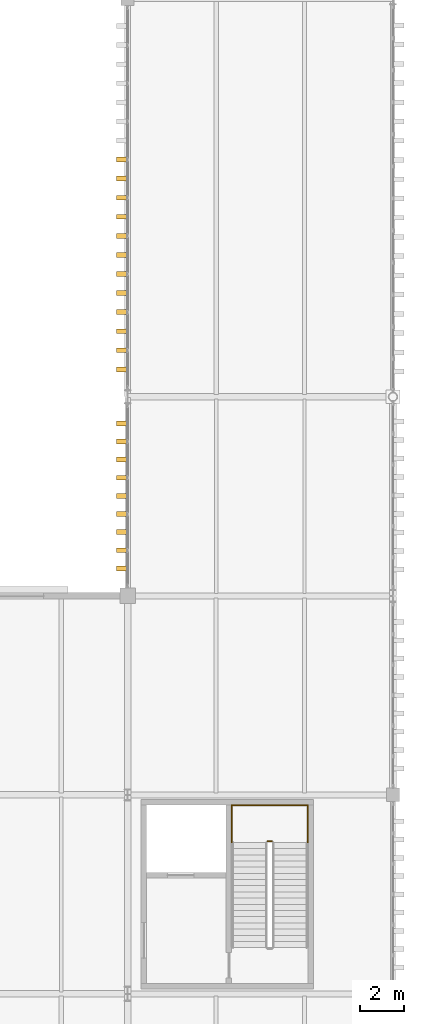
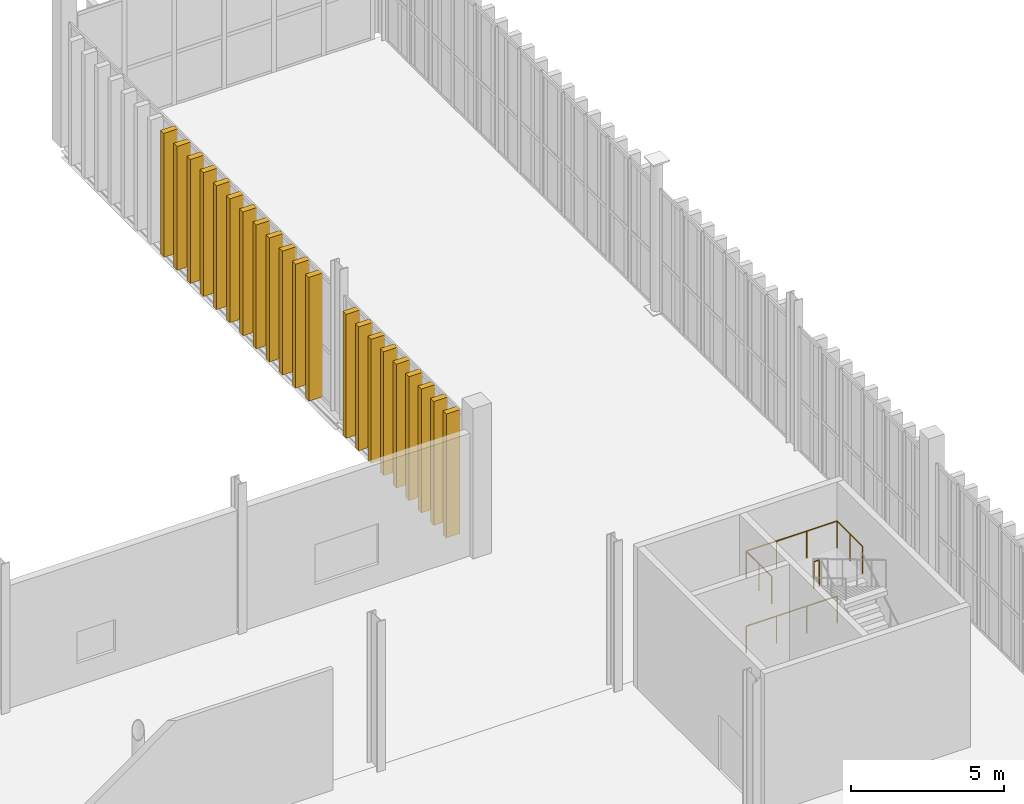
# One storey, part 208 of 211: 21 shading devices, 5 railings.
"""IFC4 building model written with IfcOpenShell, lengths in metres."""

from ifc_helpers import new_model, si_unit, direction, frame, origin, origin_2d, place, context, subcontext, project, spatial, rectangle, circle, extrude, material, type_object, element, save


model = new_model("IFC4")

# Units and contexts
model_context = context("Model", 3, precision=1e-05, world=origin(), true_north=direction((0.0, 1.0)))
body_context = subcontext(model_context, "Body", "Model", "MODEL_VIEW")
ifc_project = project(units=[si_unit("LENGTHUNIT", "METRE"), si_unit("AREAUNIT", "SQUARE_METRE"), si_unit("VOLUMEUNIT", "CUBIC_METRE"), si_unit("PLANEANGLEUNIT", "RADIAN"), si_unit("MASSUNIT", "GRAM", prefix="KILO")], contexts=[model_context])

# Site, building, storey
site_placement = place(None, origin())
site = spatial("IfcSite", under=ifc_project, at=site_placement, CompositionType="ELEMENT")
building_placement = place(site_placement, origin())
building = spatial("IfcBuilding", under=site, at=building_placement, Name="Barlavento Convention Centre", CompositionType="ELEMENT")
storey_placement = place(building_placement, frame((0.0, 0.0, 6.0)))
storey = spatial("IfcBuildingStorey", under=building, at=storey_placement, Name="L01", CompositionType="ELEMENT", Elevation=6.0)

# Railings
ifc_material_1 = material(Name="Stainless steel and laminated glass balustrade", Category="steel")
railing_type = type_object("IfcRailingType", Name="ARC-RAL-BAL-1100", PredefinedType="BALUSTRADE", material=ifc_material_1)
railing_placement = place(storey_placement, frame((186.530029296875, 96.89990234375, 3.0)))
element("IfcRailing", 1, at=railing_placement, inside=storey, type_object=railing_type, Name="L01 ST08 stair guard 2", PredefinedType="BALUSTRADE", context=body_context, shape_type="SweptSolid", body=[
    extrude(circle(Radius=0.02392578125, at=origin_2d()), frame((0.0, 0.0, 1.076171875), z_axis=(-1.0, 0.0, 0.0), x_axis=(0.0, -1.0, 0.0)), (0.0, 0.0, 1.0), 0.199951171875),
    extrude(circle(Radius=0.02099609375, at=origin_2d()), origin(), (0.0, 0.0, 1.0), 1.052001953125),
    extrude(circle(Radius=0.02099609375, at=origin_2d()), frame((-0.199951171875, 0.0, 0.0)), (0.0, 0.0, 1.0), 1.052001953125),
])
for number, where, name in (
    (2, (188.14990234375, 96.85009765625, 3.0), "L01 landing guard GR01"),
    (3, (184.7099609375, 96.85009765625, 3.0), "L01 landing guard GR01"),
):
    element("IfcRailing", number, at=place(storey_placement, frame(where)), inside=storey, type_object=railing_type, Name=name, PredefinedType="BALUSTRADE", context=body_context, shape_type="SweptSolid", body=[
        extrude(circle(Radius=0.02392578125, at=origin_2d()), frame((0.0, 0.0, 1.076171875), z_axis=(0.0, 1.0, 0.0), x_axis=(-1.0, 0.0, 0.0)), (0.0, 0.0, 1.0), 1.679931640625),
        extrude(circle(Radius=0.02099609375, at=origin_2d()), origin(), (0.0, 0.0, 1.0), 1.052001953125),
        extrude(circle(Radius=0.02099609375, at=origin_2d()), frame((0.0, 0.83984375, 0.0)), (0.0, 0.0, 1.0), 1.052001953125),
        extrude(circle(Radius=0.02099609375, at=origin_2d()), frame((0.0, 1.679931640625, 0.0)), (0.0, 0.0, 1.0), 1.052001953125),
    ])
for number, where, name in (
    (4, (188.14990234375, 98.530029296875, 3.0), "L01 landing guard GR01"),
    (5, (188.14990234375, 98.530029296875, 0.0), "L01 stairwell perimeter guard GR01"),
):
    element("IfcRailing", number, at=place(storey_placement, frame(where)), inside=storey, type_object=railing_type, Name=name, PredefinedType="BALUSTRADE", context=body_context, shape_type="SweptSolid", body=[
        extrude(circle(Radius=0.02392578125, at=origin_2d()), frame((0.0, 0.0, 1.076171875), z_axis=(-1.0, 0.0, 0.0), x_axis=(0.0, -1.0, 0.0)), (0.0, 0.0, 1.0), 3.43994140625),
        extrude(circle(Radius=0.02099609375, at=origin_2d()), origin(), (0.0, 0.0, 1.0), 1.052001953125),
        extrude(circle(Radius=0.02099609375, at=origin_2d()), frame((-1.146728515625, 0.0, 0.0)), (0.0, 0.0, 1.0), 1.052001953125),
        extrude(circle(Radius=0.02099609375, at=origin_2d()), frame((-2.293212890625, 0.0, 0.0)), (0.0, 0.0, 1.0), 1.052001953125),
        extrude(circle(Radius=0.02099609375, at=origin_2d()), frame((-3.43994140625, 0.0, 0.0)), (0.0, 0.0, 1.0), 1.052001953125),
    ])

# Shading devices
ifc_material_2 = material(Name="PVDF white extruded aluminium", Category="aluminium")
shading_device_type = type_object("IfcShadingDeviceType", Name="ARC-SHD-FIN-480", PredefinedType="USERDEFINED", material=ifc_material_2)
for number, where, z_axis, x_axis, name in (
    (6, (179.760009765625, 109.239990234375, 0.0), (0.0, 0.0, 1.0), (0.0, 1.0, 0.0), "White vertical solar shading fin VF01"),
    (7, (179.760009765625, 110.06005859375, 0.0), (0.0, 0.0, 1.0), (0.0, 1.0, 0.0), "White vertical solar shading fin VF01"),
    (8, (179.760009765625, 110.8798828125, 0.0), (0.0, 0.0, 1.0), (0.0, 1.0, 0.0), "White vertical solar shading fin VF01"),
    (9, (179.760009765625, 111.699951171875, 0.0), (0.0, 0.0, 1.0), (0.0, 1.0, 0.0), "White vertical solar shading fin VF01"),
    (10, (179.760009765625, 112.52001953125, 0.0), (0.0, 0.0, 1.0), (0.0, 1.0, 0.0), "White vertical solar shading fin VF01"),
    (11, (179.760009765625, 113.340087890625, 0.0), (0.0, 0.0, 1.0), (0.0, 1.0, 0.0), "White vertical solar shading fin VF01"),
    (12, (179.760009765625, 114.159912109375, 0.0), (0.0, 0.0, 1.0), (0.0, 1.0, 0.0), "White vertical solar shading fin VF01"),
    (13, (179.760009765625, 114.97998046875, 0.0), (0.0, 0.0, 1.0), (0.0, 1.0, 0.0), "White vertical solar shading fin VF01"),
    (14, (179.760009765625, 115.800048828125, 0.0), (0.0, 0.0, 1.0), (0.0, 1.0, 0.0), "White vertical solar shading fin VF01"),
    (15, (179.760009765625, 118.242431640625, 0.0), (0.0, 0.0, 1.0), (0.0, 1.0, 0.0), "White vertical solar shading fin VF01"),
    (16, (179.760009765625, 119.10498046875, 0.0), (0.0, 0.0, 1.0), (0.0, 1.0, 0.0), "White vertical solar shading fin VF01"),
    (17, (179.760009765625, 119.967529296875, 0.0), (0.0, 0.0, 1.0), (0.0, 1.0, 0.0), "White vertical solar shading fin VF01"),
    (18, (179.760009765625, 120.830078125, 0.0), (0.0, 0.0, 1.0), (0.0, 1.0, 0.0), "White vertical solar shading fin VF01"),
    (19, (179.760009765625, 121.6923828125, 0.0), (0.0, 0.0, 1.0), (0.0, 1.0, 0.0), "White vertical solar shading fin VF01"),
    (20, (179.760009765625, 122.554931640625, 0.0), (0.0, 0.0, 1.0), (0.0, 1.0, 0.0), "White vertical solar shading fin VF01"),
    (21, (179.760009765625, 123.41748046875, 0.0), (0.0, 0.0, 1.0), (0.0, 1.0, 0.0), "White vertical solar shading fin VF01"),
    (22, (179.760009765625, 124.280029296875, 0.0), (0.0, 0.0, 1.0), (0.0, 1.0, 0.0), "White vertical solar shading fin VF01"),
    (23, (179.760009765625, 125.142578125, 0.0), (0.0, 0.0, 1.0), (0.0, 1.0, 0.0), "White vertical solar shading fin VF01"),
    (24, (179.760009765625, 126.0048828125, 0.0), (0.0, 0.0, 1.0), (0.0, 1.0, 0.0), "White vertical solar shading fin VF01"),
    (25, (179.760009765625, 126.867431640625, 0.0), (0.0, 0.0, 1.0), (0.0, 1.0, 0.0), "White vertical solar shading fin VF01"),
    (26, (179.760009765625, 127.72998046875, 0.0), (0.0, 0.0, 1.0), (0.0, 1.0, 0.0), "White vertical solar shading fin VF01"),
):
    element("IfcShadingDevice", number, at=place(storey_placement, frame(where, z_axis=z_axis, x_axis=x_axis)), inside=storey, type_object=shading_device_type, Name=name, ObjectType="FIN", PredefinedType="USERDEFINED", context=body_context, shape_type="SweptSolid", body=[
        extrude(rectangle(XDim=0.219970703125, YDim=0.52001953125, at=origin_2d()), origin(), (0.0, 0.0, 1.0), 4.949951171875),
    ])

save(model, "model.ifc")
